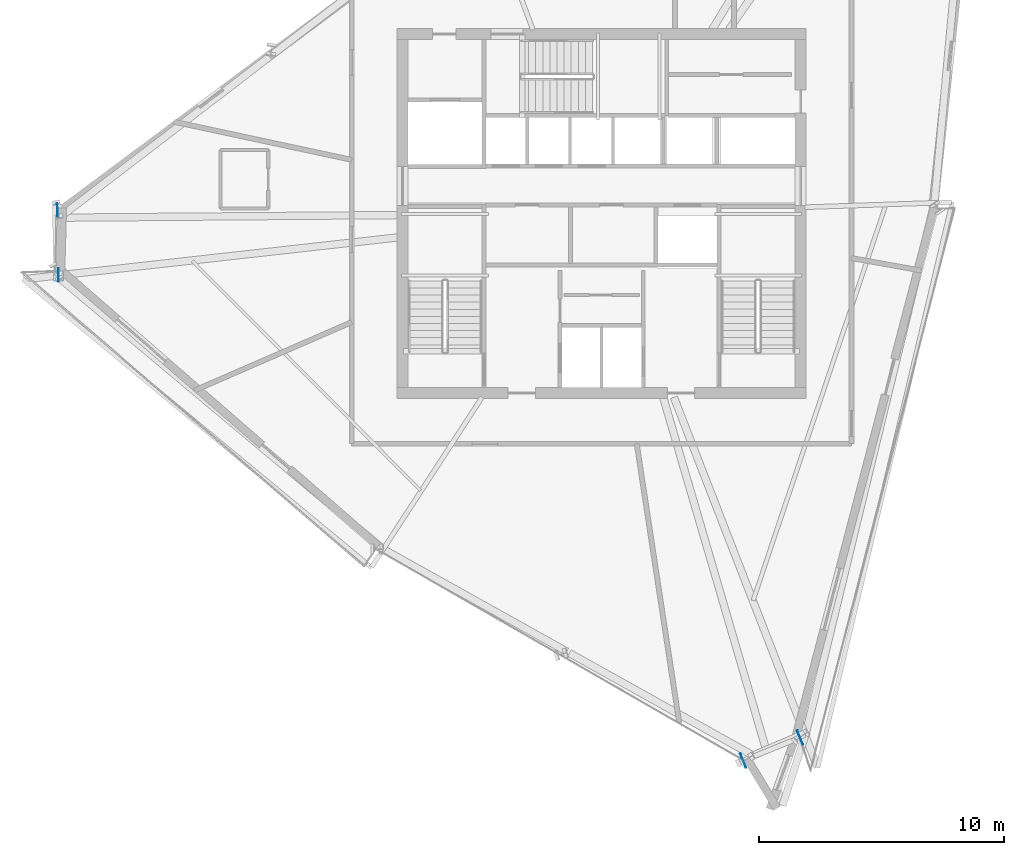
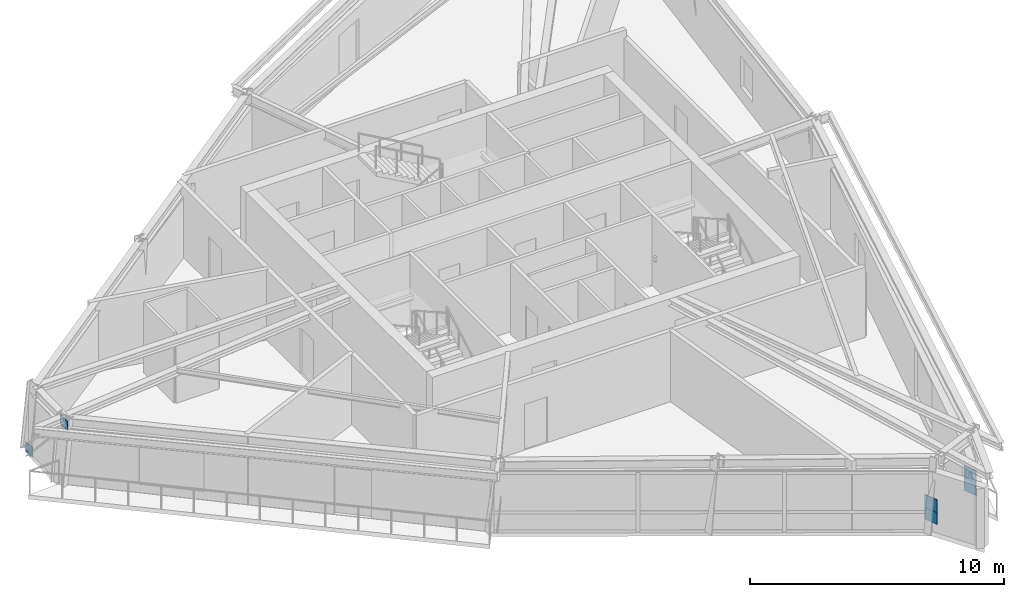
# One storey, part 6 of 13: 6 plates.
"""IFC4 building model written with IfcOpenShell, lengths in metres."""

import ifcopenshell
import ifcopenshell.guid

model = None  # the IFC model being written
_history = None  # IfcOwnerHistory: only IFC2X3 demands one
_inside = {}  # id of a spatial element -> (the spatial element, [elements in it])
_under = {}  # id of a project, library or spatial element -> (it, [spatial elements below it])
_declared = {}  # id of a project -> (the project, [libraries it declares])
_typed = {}  # id of a type object -> (the type object, [elements of that type])
_made_of = {}  # id of a material, layer set ... -> (it, [elements and type objects made of it])


def new_model(schema):
    """Start an empty IFC model of exactly this schema.

    Asked for "IFC4X3", IfcOpenShell would pick the latest addendum, in which some entities
    have other attributes; the version numbers below select the first issue.
    IFC2X3 requires an IfcOwnerHistory on every rooted entity: one is made here for all.
    """
    global model, _history
    if schema == "IFC4X3":
        model = ifcopenshell.file(schema_version=(4, 3, 0, 0))
    else:
        model = ifcopenshell.file(schema=schema)
    _inside.clear()
    _under.clear()
    _declared.clear()
    _typed.clear()
    _made_of.clear()
    _history = None
    if model.schema == "IFC2X3":
        org = make("IfcOrganization", Name="unknown")
        user = make(
            "IfcPersonAndOrganization",
            ThePerson=make("IfcPerson", FamilyName="unknown"),
            TheOrganization=org,
        )
        app = make(
            "IfcApplication",
            ApplicationDeveloper=org,
            Version="unknown",
            ApplicationFullName="unknown",
            ApplicationIdentifier="unknown",
        )
        _history = make(
            "IfcOwnerHistory",
            OwningUser=user,
            OwningApplication=app,
            ChangeAction="ADDED",
            CreationDate=0,
        )
    return model


def make(cls, **values):
    """One entity of the class cls with the attributes given. An attribute that is None is left unset."""
    return model.create_entity(
        cls, **{name: value for name, value in values.items() if value is not None}
    )


def rooted(cls, **values):
    """An entity with a GlobalId (a new one), such as an element, a storey or a relation."""
    return make(cls, GlobalId=ifcopenshell.guid.new(), OwnerHistory=_history, **values)


def si_unit(unit_type, name, prefix=None):
    """IfcSIUnit, for example si_unit("LENGTHUNIT", "METRE", prefix="MILLI")."""
    return make("IfcSIUnit", UnitType=unit_type, Prefix=prefix, Name=name)


def assignment(units):
    """IfcUnitAssignment: the units of a project."""
    return None if units is None else make("IfcUnitAssignment", Units=units)


def point(xyz):
    """IfcCartesianPoint."""
    return None if xyz is None else make("IfcCartesianPoint", Coordinates=xyz)


def direction(xyz):
    """IfcDirection."""
    return None if xyz is None else make("IfcDirection", DirectionRatios=xyz)


def frame(location, z_axis=None, x_axis=None):
    """IfcAxis2Placement3D, a coordinate frame: its origin and axes. An axis left out is left unset."""
    return make(
        "IfcAxis2Placement3D",
        Location=point(location),
        Axis=direction(z_axis),
        RefDirection=direction(x_axis),
    )


def frame_2d(location, x_axis=None):
    """IfcAxis2Placement2D, a coordinate frame in the plane: its origin and x axis."""
    return make(
        "IfcAxis2Placement2D", Location=point(location), RefDirection=direction(x_axis)
    )


def origin():
    """The frame at (0, 0, 0) with its axes left unset."""
    return frame((0.0, 0.0, 0.0))


def origin_2d():
    """The frame at (0, 0) in the plane with its x axis left unset."""
    return frame_2d((0.0, 0.0))


def place(relative_to, where):
    """IfcLocalPlacement: puts the frame where relative to a parent placement (None: the world)."""
    return make(
        "IfcLocalPlacement", PlacementRelTo=relative_to, RelativePlacement=where
    )


def context(
    kind, dimensions, precision=None, world=None, true_north=None, identifier=None
):
    """IfcGeometricRepresentationContext, for example the 3D "Model" context."""
    return make(
        "IfcGeometricRepresentationContext",
        ContextIdentifier=identifier,
        ContextType=kind,
        CoordinateSpaceDimension=dimensions,
        Precision=precision,
        WorldCoordinateSystem=world,
        TrueNorth=true_north,
    )


def subcontext(parent, identifier, kind, view, scale=None):
    """IfcGeometricRepresentationSubContext, for example "Body" below "Model"."""
    return make(
        "IfcGeometricRepresentationSubContext",
        ContextIdentifier=identifier,
        ContextType=kind,
        ParentContext=parent,
        TargetScale=scale,
        TargetView=view,
    )


def project(units=None, contexts=None):
    """IfcProject with its units and contexts."""
    return rooted(
        "IfcProject",
        Name="project",
        RepresentationContexts=contexts,
        UnitsInContext=assignment(units),
    )


def spatial(cls, under=None, at=None, **own):
    """A site, building, storey or space (cls), placed at a placement, below another one or the project."""
    s = rooted(cls, ObjectPlacement=at, **own)
    if under is not None:
        _under.setdefault(under.id(), (under, []))[1].append(s)
    return s


def profile(cls, at=None, kind="AREA", **sizes):
    """A parametric profile (cls). Its sizes go by their IFC names, for example OverallWidth=200.0."""
    return make(cls, ProfileType=kind, Position=at, **sizes)


def rectangle(**sizes):
    """IfcRectangleProfileDef."""
    return profile("IfcRectangleProfileDef", **sizes)


def extrude(swept, where, along, depth):
    """IfcExtrudedAreaSolid: the profile swept, set in the frame where, extruded along a direction by depth."""
    return make(
        "IfcExtrudedAreaSolid",
        SweptArea=swept,
        Position=where,
        ExtrudedDirection=direction(along),
        Depth=depth,
    )


def shape(context_of_items, identifier, shape_type, items):
    """IfcShapeRepresentation: the items that make up one representation, for example the "Body"."""
    return make(
        "IfcShapeRepresentation",
        ContextOfItems=context_of_items,
        RepresentationIdentifier=identifier,
        RepresentationType=shape_type,
        Items=items,
    )


def source(mapping_origin, context_of_items, identifier, shape_type, items):
    """IfcRepresentationMap: a shape defined once, which mapped items show again and again."""
    return make(
        "IfcRepresentationMap",
        MappingOrigin=mapping_origin,
        MappedRepresentation=shape(context_of_items, identifier, shape_type, items),
    )


def transform(
    local_origin,
    x_axis=None,
    y_axis=None,
    z_axis=None,
    scale=None,
    scale2=None,
    scale3=None,
    uniform=True,
):
    """IfcCartesianTransformationOperator3D, or its non-uniform kind. x_axis, y_axis, z_axis: its Axis1, 2, 3."""
    if uniform:
        return make(
            "IfcCartesianTransformationOperator3D",
            Axis1=direction(x_axis),
            Axis2=direction(y_axis),
            LocalOrigin=point(local_origin),
            Scale=scale,
            Axis3=direction(z_axis),
        )
    return make(
        "IfcCartesianTransformationOperator3DnonUniform",
        Axis1=direction(x_axis),
        Axis2=direction(y_axis),
        LocalOrigin=point(local_origin),
        Scale=scale,
        Axis3=direction(z_axis),
        Scale2=scale2,
        Scale3=scale3,
    )


def mapped(mapping_source, mapping_target):
    """IfcMappedItem: shows the shape of a source again, moved by a transform."""
    return make(
        "IfcMappedItem", MappingSource=mapping_source, MappingTarget=mapping_target
    )


def material(Name=None, Category=None):
    """IfcMaterial."""
    return make("IfcMaterial", Name=Name, Category=Category)


def made_of(thing, what):
    """Note that an element or type object is made of a material, layer set ...; save() writes the relation."""
    if what is not None:
        _made_of.setdefault(what.id(), (what, []))[1].append(thing)
    return thing


def type_object(cls, material=None, **own):
    """A type object (cls), such as IfcWallType, which elements share."""
    return made_of(rooted(cls, **own), material)


def element(
    cls,
    number,
    at=None,
    inside=None,
    cuts=None,
    type_object=None,
    material=None,
    context=None,
    identifier="Body",
    shape_type=None,
    held_by="IfcProductDefinitionShape",
    body=None,
    shapes=None,
    **own,
):
    """One element of the class cls, such as IfcWall. Its Tag is "e" and its number.

    at: its placement. inside: the storey or other place that contains it. cuts: it is an
    opening in that element (IfcRelVoidsElement). A single representation is given by context,
    identifier, shape_type and body (its items); several are given by shapes. held_by: the class
    of the entity that holds the representations. save() writes the other relations.
    """
    e = rooted(cls, Tag="e%d" % number, ObjectPlacement=at, **own)
    if body is not None:
        shapes = [shape(context, identifier, shape_type, body)]
    if shapes is not None:
        e.Representation = make(held_by, Representations=shapes)
    if inside is not None:
        _inside.setdefault(inside.id(), (inside, []))[1].append(e)
    if cuts is not None:
        rooted(
            "IfcRelVoidsElement", RelatingBuildingElement=cuts, RelatedOpeningElement=e
        )
    if type_object is not None:
        _typed.setdefault(type_object.id(), (type_object, []))[1].append(e)
    return made_of(e, material)


def aggregate(whole, parts):
    """IfcRelAggregates: a whole, such as a stair, and the parts it consists of."""
    return rooted("IfcRelAggregates", RelatingObject=whole, RelatedObjects=parts)


def save(model, path):
    """Write the relations noted so far, then the file.

    IfcRelAggregates (storeys below a building ...), IfcRelContainedInSpatialStructure (elements
    in a storey), IfcRelDefinesByType, IfcRelAssociatesMaterial and IfcRelDeclares: one each for
    every whole, place, type object, material and project.
    """
    for whole, parts in _under.values():
        aggregate(whole, parts)
    for where, things in _inside.values():
        rooted(
            "IfcRelContainedInSpatialStructure",
            RelatedElements=things,
            RelatingStructure=where,
        )
    for kind, things in _typed.values():
        rooted("IfcRelDefinesByType", RelatedObjects=things, RelatingType=kind)
    for what, things in _made_of.values():
        rooted("IfcRelAssociatesMaterial", RelatedObjects=things, RelatingMaterial=what)
    for by, libraries in _declared.values():
        rooted("IfcRelDeclares", RelatingContext=by, RelatedDefinitions=libraries)
    model.write(path)


model = new_model("IFC4")

# Units and contexts
model_context = context("Model", 3, precision=1e-05, world=origin(), true_north=direction((0.0, 1.0)))
body_context = subcontext(model_context, "Body", "Model", "MODEL_VIEW")
ifc_project = project(units=[si_unit("LENGTHUNIT", "METRE"), si_unit("AREAUNIT", "SQUARE_METRE"), si_unit("VOLUMEUNIT", "CUBIC_METRE"), si_unit("PLANEANGLEUNIT", "RADIAN"), si_unit("MASSUNIT", "GRAM", prefix="KILO")], contexts=[model_context])

# Site, building, storey
site_placement = place(None, origin())
site = spatial("IfcSite", under=ifc_project, at=site_placement, CompositionType="ELEMENT")
building_placement = place(site_placement, origin())
building = spatial("IfcBuilding", under=site, at=building_placement, Name="Olszyna Solenne Hotel", CompositionType="ELEMENT")
storey_placement = place(building_placement, frame((0.0, 0.0, 263.300048828125)))
storey = spatial("IfcBuildingStorey", under=building, at=storey_placement, Name="L70", CompositionType="ELEMENT", Elevation=263.300048828125)

# Plates
ifc_material_1 = material(Name="Steel S460M", Category="steel")
plate_type_1 = type_object("IfcPlateType", Name="GP-CAP2", PredefinedType="USERDEFINED", material=ifc_material_1)
shared_shape_1 = source(origin(), body_context, "Body", "SweptSolid", [
    extrude(rectangle(XDim=0.030029296875, YDim=0.6201171875, at=origin_2d()), origin(), (0.0, 0.0, 1.0), 0.6201171875),
])
for number, where, z_axis, x_axis, name in (
    (1, (43.778564453125, 4.264892578125, 1.039794921875), (0.0, 0.0, 1.0), (0.926528630872, 0.376224263139, 0.0), "Hollow section end-cap plate GP-CAP2 CP-PR-M-L70-PR1-1"),
    (2, (46.099609375, 5.207275390625, 1.039794921875), (0.0, 0.0, 1.0), (0.926528630872, 0.376224263139, 0.0), "Hollow section end-cap plate GP-CAP2 CP-PR-M-L70-PR1-2"),
    (3, (43.778564453125, 4.264892578125, 0.469970703125), (0.0, 0.0, 1.0), (0.926528630872, 0.376224263139, 0.0), "Hollow section end-cap plate GP-CAP2 CP-PR-M-L70-PR2-1"),
    (4, (46.099609375, 5.207275390625, 0.469970703125), (0.0, 0.0, 1.0), (0.926528630872, 0.376224263139, 0.0), "Hollow section end-cap plate GP-CAP2 CP-PR-M-L70-PR2-2"),
):
    element("IfcPlate", number, at=place(storey_placement, frame(where, z_axis=z_axis, x_axis=x_axis)), inside=storey, type_object=plate_type_1, Name=name, ObjectType="GUSSET_PLATE", PredefinedType="USERDEFINED", context=body_context, shape_type="MappedRepresentation", body=[
        mapped(shared_shape_1, transform((0.0, 0.0, 0.0), x_axis=(1.0, 0.0, 0.0), y_axis=(0.0, 1.0, 0.0), z_axis=(0.0, 0.0, 1.0), scale=1.0)),
    ])
ifc_material_2 = material(Name="Steel S355J2", Category="steel")
plate_type_2 = type_object("IfcPlateType", Name="GP-ND2", PredefinedType="USERDEFINED", material=ifc_material_2)
shared_shape_2 = source(origin(), body_context, "Body", "SweptSolid", [
    extrude(rectangle(XDim=0.56005859375, YDim=0.02001953125, at=origin_2d()), origin(), (0.0, 0.0, 1.0), 0.47998046875),
])
for number, where, z_axis, x_axis, name in (
    (5, (15.7822265625, 26.738037109375, -0.126953125), (0.0, 0.0, 1.0), (0.017801418053, -0.999841542203, 0.0), "Brace end connection gusset plate GP-ND2 EP-BR-L70-2-1"),
    (6, (15.82958984375, 24.0888671875, 2.76171875), (0.0, 0.0, 1.0), (0.017801418053, -0.999841542203, 0.0), "Brace end connection gusset plate GP-ND2 EP-BR-L70-2-2"),
):
    element("IfcPlate", number, at=place(storey_placement, frame(where, z_axis=z_axis, x_axis=x_axis)), inside=storey, type_object=plate_type_2, Name=name, ObjectType="GUSSET_PLATE", PredefinedType="USERDEFINED", context=body_context, shape_type="MappedRepresentation", body=[
        mapped(shared_shape_2, transform((0.0, 0.0, 0.0), x_axis=(1.0, 0.0, 0.0), y_axis=(0.0, 1.0, 0.0), z_axis=(0.0, 0.0, 1.0), scale=1.0)),
    ])

save(model, "model.ifc")
